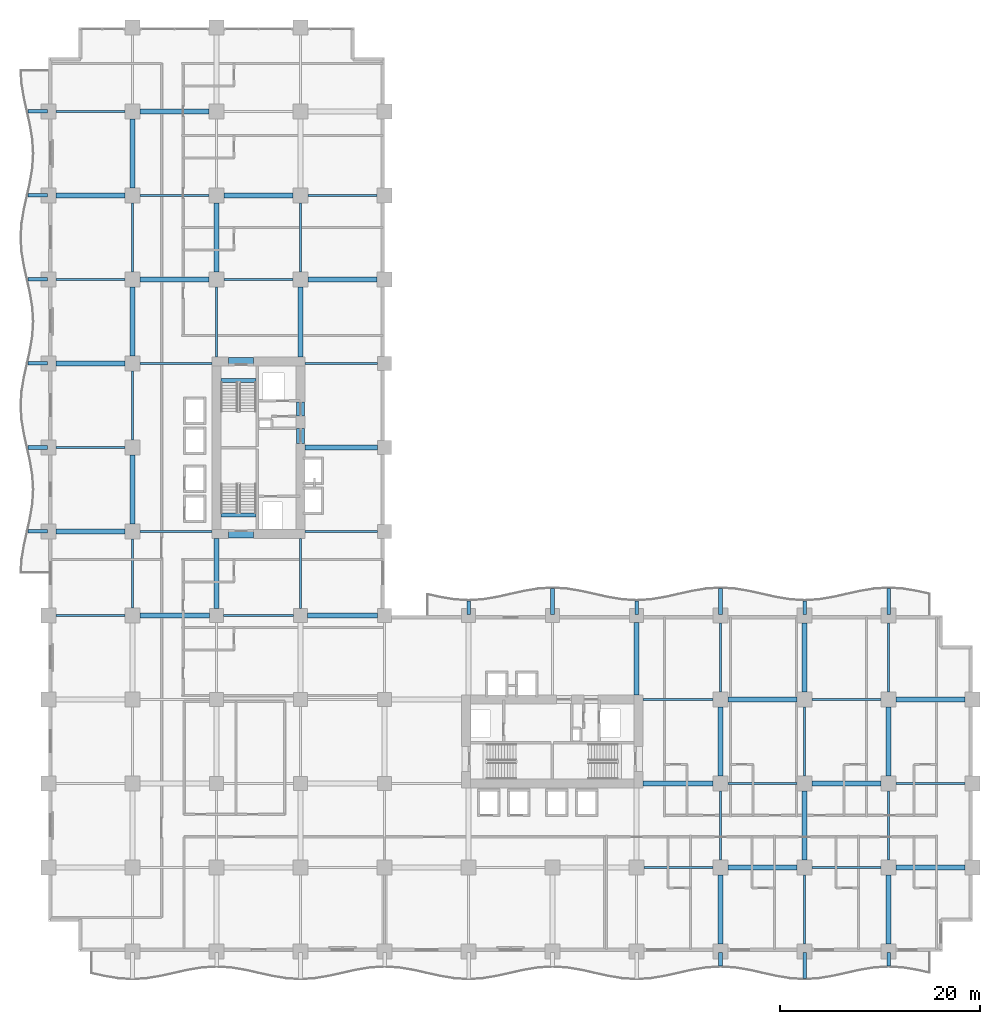
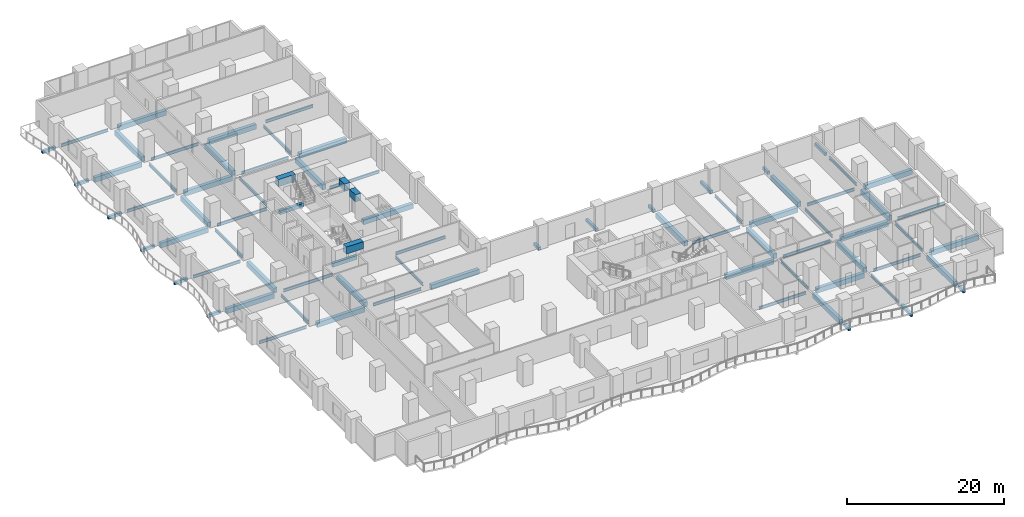
# One storey, part 2 of 21: 80 beams.
"""IFC4 building model written with IfcOpenShell, lengths in metres."""

from ifc_helpers import new_model, si_unit, direction, frame, origin, origin_2d, place, context, subcontext, project, spatial, rectangle, i_section, extrude, material, material_profile, profile_set, type_object, element, save


model = new_model("IFC4")

# Units and contexts
model_context = context("Model", 3, precision=1e-05, world=origin(), true_north=direction((0.0, 1.0)))
body_context = subcontext(model_context, "Body", "Model", "MODEL_VIEW")
ifc_project = project(units=[si_unit("LENGTHUNIT", "METRE"), si_unit("AREAUNIT", "SQUARE_METRE"), si_unit("VOLUMEUNIT", "CUBIC_METRE"), si_unit("PLANEANGLEUNIT", "RADIAN"), si_unit("MASSUNIT", "GRAM", prefix="KILO")], contexts=[model_context])

# Site, building, storey
site_placement = place(None, origin())
site = spatial("IfcSite", under=ifc_project, at=site_placement, CompositionType="ELEMENT")
building_placement = place(site_placement, origin())
building = spatial("IfcBuilding", under=site, at=building_placement, Name="Koriwani Terraces Tower", CompositionType="ELEMENT")
storey_placement = place(building_placement, frame((0.0, 0.0, 77.60009765625)))
storey = spatial("IfcBuildingStorey", under=building, at=storey_placement, Name="L18", CompositionType="ELEMENT", Elevation=77.60009765625)

# Beams
ifc_material_1 = material(Name="Concrete C40/50", Category="concrete")
ifc_material_profile_1 = material_profile(ifc_material_1, rectangle(XDim=0.35009765625, YDim=0.449951171875, at=origin_2d()), Name="Concrete C40/50", Category="LoadBearing")
ifc_profile_set_1 = profile_set([ifc_material_profile_1], Name="Concrete C40/50")
beam_type_1 = type_object("IfcBeamType", Name="BEAM_RC_BALCONY_RIB_350X450", PredefinedType="JOIST", material=ifc_profile_set_1)
beam_1_placement = place(storey_placement, frame((67.199951171875, -1.449951171875, -0.47509765625), z_axis=(0.0, 1.0, 0.0), x_axis=(-1.0, 0.0, 0.0)))
element("IfcBeam", 1, at=beam_1_placement, inside=storey, type_object=beam_type_1, Name="L18 Balcony Bracket Rib S-8", PredefinedType="JOIST", context=body_context, shape_type="SweptSolid", body=[
    extrude(rectangle(XDim=0.35009765625, YDim=0.449951171875, at=origin_2d()), origin(), (0.0, 0.0, 1.0), 1.349853515625),
])
beam_2_placement = place(storey_placement, frame((75.60009765625, -2.699951171875, -0.47509765625), z_axis=(0.0, 1.0, 0.0), x_axis=(-1.0, 0.0, 0.0)))
element("IfcBeam", 2, at=beam_2_placement, inside=storey, type_object=beam_type_1, Name="L18 Balcony Bracket Rib S-9", PredefinedType="JOIST", context=body_context, shape_type="SweptSolid", body=[
    extrude(rectangle(XDim=0.35009765625, YDim=0.449951171875, at=origin_2d()), origin(), (0.0, 0.0, 1.0), 2.599853515625),
])
beam_3_placement = place(storey_placement, frame((84.0, -1.449951171875, -0.47509765625), z_axis=(0.0, 1.0, 0.0), x_axis=(-1.0, 0.0, 0.0)))
element("IfcBeam", 3, at=beam_3_placement, inside=storey, type_object=beam_type_1, Name="L18 Balcony Bracket Rib S-10", PredefinedType="JOIST", context=body_context, shape_type="SweptSolid", body=[
    extrude(rectangle(XDim=0.35009765625, YDim=0.449951171875, at=origin_2d()), origin(), (0.0, 0.0, 1.0), 1.349853515625),
])
for number, where, z_axis, x_axis, name in (
    (4, (-2.074951171875, 42.0, -0.47509765625), (1.0, 0.0, 0.0), (0.0, 1.0, 0.0), "L18 Balcony Bracket Rib W-1"),
    (5, (-2.074951171875, 50.39990234375, -0.47509765625), (1.0, 0.0, 0.0), (0.0, 1.0, 0.0), "L18 Balcony Bracket Rib W-2"),
    (6, (-2.074951171875, 58.800048828125, -0.47509765625), (1.0, 0.0, 0.0), (0.0, 1.0, 0.0), "L18 Balcony Bracket Rib W-3"),
    (7, (-2.074951171875, 67.199951171875, -0.47509765625), (1.0, 0.0, 0.0), (0.0, 1.0, 0.0), "L18 Balcony Bracket Rib W-4"),
    (8, (-2.074951171875, 75.60009765625, -0.47509765625), (1.0, 0.0, 0.0), (0.0, 1.0, 0.0), "L18 Balcony Bracket Rib W-5"),
    (9, (-2.074951171875, 84.0, -0.47509765625), (1.0, 0.0, 0.0), (0.0, 1.0, 0.0), "L18 Balcony Bracket Rib W-6"),
):
    element("IfcBeam", number, at=place(storey_placement, frame(where, z_axis=z_axis, x_axis=x_axis)), inside=storey, type_object=beam_type_1, Name=name, PredefinedType="JOIST", context=body_context, shape_type="SweptSolid", body=[
        extrude(rectangle(XDim=0.35009765625, YDim=0.449951171875, at=origin_2d()), origin(), (0.0, 0.0, 1.0), 1.974853515625),
    ])
beam_4_placement = place(storey_placement, frame((42.0, 33.699951171875, -0.47509765625), z_axis=(0.0, 1.0, 0.0), x_axis=(-1.0, 0.0, 0.0)))
element("IfcBeam", 10, at=beam_4_placement, inside=storey, type_object=beam_type_1, Name="L18 Balcony Bracket Rib NE-1", PredefinedType="JOIST", context=body_context, shape_type="SweptSolid", body=[
    extrude(rectangle(XDim=0.35009765625, YDim=0.449951171875, at=origin_2d()), origin(), (0.0, 0.0, 1.0), 1.35009765625),
])
beam_5_placement = place(storey_placement, frame((50.39990234375, 33.699951171875, -0.47509765625), z_axis=(0.0, 1.0, 0.0), x_axis=(-1.0, 0.0, 0.0)))
element("IfcBeam", 11, at=beam_5_placement, inside=storey, type_object=beam_type_1, Name="L18 Balcony Bracket Rib NE-2", PredefinedType="JOIST", context=body_context, shape_type="SweptSolid", body=[
    extrude(rectangle(XDim=0.35009765625, YDim=0.449951171875, at=origin_2d()), origin(), (0.0, 0.0, 1.0), 2.60009765625),
])
beam_6_placement = place(storey_placement, frame((58.800048828125, 33.699951171875, -0.47509765625), z_axis=(0.0, 1.0, 0.0), x_axis=(-1.0, 0.0, 0.0)))
element("IfcBeam", 12, at=beam_6_placement, inside=storey, type_object=beam_type_1, Name="L18 Balcony Bracket Rib NE-3", PredefinedType="JOIST", context=body_context, shape_type="SweptSolid", body=[
    extrude(rectangle(XDim=0.35009765625, YDim=0.449951171875, at=origin_2d()), origin(), (0.0, 0.0, 1.0), 1.35009765625),
])
beam_7_placement = place(storey_placement, frame((67.199951171875, 33.699951171875, -0.47509765625), z_axis=(0.0, 1.0, 0.0), x_axis=(-1.0, 0.0, 0.0)))
element("IfcBeam", 13, at=beam_7_placement, inside=storey, type_object=beam_type_1, Name="L18 Balcony Bracket Rib NE-4", PredefinedType="JOIST", context=body_context, shape_type="SweptSolid", body=[
    extrude(rectangle(XDim=0.35009765625, YDim=0.449951171875, at=origin_2d()), origin(), (0.0, 0.0, 1.0), 2.60009765625),
])
beam_8_placement = place(storey_placement, frame((75.60009765625, 33.699951171875, -0.47509765625), z_axis=(0.0, 1.0, 0.0), x_axis=(-1.0, 0.0, 0.0)))
element("IfcBeam", 14, at=beam_8_placement, inside=storey, type_object=beam_type_1, Name="L18 Balcony Bracket Rib NE-5", PredefinedType="JOIST", context=body_context, shape_type="SweptSolid", body=[
    extrude(rectangle(XDim=0.35009765625, YDim=0.449951171875, at=origin_2d()), origin(), (0.0, 0.0, 1.0), 1.35009765625),
])
beam_9_placement = place(storey_placement, frame((84.0, 33.699951171875, -0.47509765625), z_axis=(0.0, 1.0, 0.0), x_axis=(-1.0, 0.0, 0.0)))
element("IfcBeam", 15, at=beam_9_placement, inside=storey, type_object=beam_type_1, Name="L18 Balcony Bracket Rib NE-6", PredefinedType="JOIST", context=body_context, shape_type="SweptSolid", body=[
    extrude(rectangle(XDim=0.35009765625, YDim=0.449951171875, at=origin_2d()), origin(), (0.0, 0.0, 1.0), 2.60009765625),
])
ifc_material_2 = material(Name="Concrete C60/75", Category="concrete")
ifc_material_profile_2 = material_profile(ifc_material_2, rectangle(XDim=0.800048828125, YDim=1.10009765625, at=origin_2d()), Name="Concrete C60/75", Category="LoadBearing")
ifc_profile_set_2 = profile_set([ifc_material_profile_2], Name="Concrete C60/75")
beam_type_2 = type_object("IfcBeamType", Name="BEAM_RC_COUPLING_800X1100", PredefinedType="LINTEL", material=ifc_profile_set_2)
beam_10_placement = place(storey_placement, frame((25.199951171875, 50.800048828125, 3.0), z_axis=(0.0, 1.0, 0.0), x_axis=(-1.0, 0.0, 0.0)))
element("IfcBeam", 16, at=beam_10_placement, inside=storey, type_object=beam_type_2, Name="L18 Core Coupling Lintel Beam WE1", PredefinedType="LINTEL", context=body_context, shape_type="SweptSolid", body=[
    extrude(rectangle(XDim=0.800048828125, YDim=1.10009765625, at=origin_2d()), origin(), (0.0, 0.0, 1.0), 1.47998046875),
])
beam_11_placement = place(storey_placement, frame((25.199951171875, 53.550048828125, 3.0), z_axis=(0.0, 1.0, 0.0), x_axis=(-1.0, 0.0, 0.0)))
element("IfcBeam", 17, at=beam_11_placement, inside=storey, type_object=beam_type_2, Name="L18 Core Coupling Lintel Beam WE2", PredefinedType="LINTEL", context=body_context, shape_type="SweptSolid", body=[
    extrude(rectangle(XDim=0.800048828125, YDim=1.10009765625, at=origin_2d()), origin(), (0.0, 0.0, 1.0), 1.39990234375),
])
for number, where, z_axis, x_axis, name in (
    (18, (18.0, 41.75, 3.0), (1.0, 0.0, 0.0), (0.0, 1.0, 0.0), "L18 Core Coupling Lintel Beam WS"),
    (19, (18.0, 59.0, 3.0), (1.0, 0.0, 0.0), (0.0, 1.0, 0.0), "L18 Core Coupling Lintel Beam WN"),
):
    element("IfcBeam", number, at=place(storey_placement, frame(where, z_axis=z_axis, x_axis=x_axis)), inside=storey, type_object=beam_type_2, Name=name, PredefinedType="LINTEL", context=body_context, shape_type="SweptSolid", body=[
        extrude(rectangle(XDim=0.800048828125, YDim=1.10009765625, at=origin_2d()), origin(), (0.0, 0.0, 1.0), 2.5),
    ])
ifc_material_profile_3 = material_profile(ifc_material_1, rectangle(XDim=0.39990234375, YDim=0.60009765625, at=origin_2d()), Name="Concrete C40/50", Category="LoadBearing")
ifc_profile_set_3 = profile_set([ifc_material_profile_3], Name="Concrete C40/50")
beam_type_3 = type_object("IfcBeamType", Name="BEAM_RC_GRID_400X600", PredefinedType="BEAM", material=ifc_profile_set_3)
for number, where, z_axis, x_axis, name in (
    (20, (17.25, 43.655029296875, -0.300048828125), (1.0, 0.0, 0.0), (0.0, 1.0, 0.0), "L18 Stairwell Header Trimmer Beam ST-W1"),
    (21, (17.25, 57.094970703125, -0.300048828125), (1.0, 0.0, 0.0), (0.0, 1.0, 0.0), "L18 Stairwell Header Trimmer Beam ST-W2"),
):
    element("IfcBeam", number, at=place(storey_placement, frame(where, z_axis=z_axis, x_axis=x_axis)), inside=storey, type_object=beam_type_3, Name=name, PredefinedType="BEAM", context=body_context, shape_type="SweptSolid", body=[
        extrude(rectangle(XDim=0.39990234375, YDim=0.60009765625, at=origin_2d()), origin(), (0.0, 0.0, 1.0), 3.5),
    ])
ifc_material_3 = material(Name="Concrete C50/60", Category="concrete")
ifc_material_profile_4 = material_profile(ifc_material_3, rectangle(XDim=0.5, YDim=0.75, at=origin_2d()), Name="Concrete C50/60", Category="LoadBearing")
ifc_profile_set_4 = profile_set([ifc_material_profile_4], Name="Concrete C50/60")
beam_type_4 = type_object("IfcBeamType", Name="BEAM_RC_GRID_500X750", PredefinedType="BEAM", material=ifc_profile_set_4)
beam_12_placement = place(storey_placement, frame((67.929931640625, 8.39990234375, -0.625), z_axis=(1.0, 0.0, 0.0), x_axis=(0.0, 1.0, 0.0)))
element("IfcBeam", 22, at=beam_12_placement, inside=storey, type_object=beam_type_4, Name="L18 Grid Beam B (67.2-75.6m)", PredefinedType="BEAM", context=body_context, shape_type="SweptSolid", body=[
    extrude(rectangle(XDim=0.5, YDim=0.75, at=origin_2d()), origin(), (0.0, 0.0, 1.0), 6.940185546875),
])
beam_13_placement = place(storey_placement, frame((84.72998046875, 8.39990234375, -0.625), z_axis=(1.0, 0.0, 0.0), x_axis=(0.0, 1.0, 0.0)))
element("IfcBeam", 23, at=beam_13_placement, inside=storey, type_object=beam_type_4, Name="L18 Grid Beam B (84.0-92.4m)", PredefinedType="BEAM", context=body_context, shape_type="SweptSolid", body=[
    extrude(rectangle(XDim=0.5, YDim=0.75, at=origin_2d()), origin(), (0.0, 0.0, 1.0), 6.93994140625),
])
beam_14_placement = place(storey_placement, frame((59.429931640625, 16.800048828125, -0.625), z_axis=(1.0, 0.0, 0.0), x_axis=(0.0, 1.0, 0.0)))
element("IfcBeam", 24, at=beam_14_placement, inside=storey, type_object=beam_type_4, Name="L18 Grid Beam C (58.8-67.2m)", PredefinedType="BEAM", context=body_context, shape_type="SweptSolid", body=[
    extrude(rectangle(XDim=0.5, YDim=0.75, at=origin_2d()), origin(), (0.0, 0.0, 1.0), 7.0400390625),
])
beam_15_placement = place(storey_placement, frame((76.330078125, 16.800048828125, -0.625), z_axis=(1.0, 0.0, 0.0), x_axis=(0.0, 1.0, 0.0)))
element("IfcBeam", 25, at=beam_15_placement, inside=storey, type_object=beam_type_4, Name="L18 Grid Beam C (75.6-84.0m)", PredefinedType="BEAM", context=body_context, shape_type="SweptSolid", body=[
    extrude(rectangle(XDim=0.5, YDim=0.75, at=origin_2d()), origin(), (0.0, 0.0, 1.0), 6.93994140625),
])
beam_16_placement = place(storey_placement, frame((67.929931640625, 25.199951171875, -0.625), z_axis=(1.0, 0.0, 0.0), x_axis=(0.0, 1.0, 0.0)))
element("IfcBeam", 26, at=beam_16_placement, inside=storey, type_object=beam_type_4, Name="L18 Grid Beam D (67.2-75.6m)", PredefinedType="BEAM", context=body_context, shape_type="SweptSolid", body=[
    extrude(rectangle(XDim=0.5, YDim=0.75, at=origin_2d()), origin(), (0.0, 0.0, 1.0), 6.940185546875),
])
beam_17_placement = place(storey_placement, frame((84.72998046875, 25.199951171875, -0.625), z_axis=(1.0, 0.0, 0.0), x_axis=(0.0, 1.0, 0.0)))
element("IfcBeam", 27, at=beam_17_placement, inside=storey, type_object=beam_type_4, Name="L18 Grid Beam D (84.0-92.4m)", PredefinedType="BEAM", context=body_context, shape_type="SweptSolid", body=[
    extrude(rectangle(XDim=0.5, YDim=0.75, at=origin_2d()), origin(), (0.0, 0.0, 1.0), 6.93994140625),
])
beam_18_placement = place(storey_placement, frame((9.1298828125, 33.60009765625, -0.625), z_axis=(1.0, 0.0, 0.0), x_axis=(0.0, 1.0, 0.0)))
element("IfcBeam", 28, at=beam_18_placement, inside=storey, type_object=beam_type_4, Name="L18 Grid Beam E (8.4-16.8m)", PredefinedType="BEAM", context=body_context, shape_type="SweptSolid", body=[
    extrude(rectangle(XDim=0.5, YDim=0.75, at=origin_2d()), origin(), (0.0, 0.0, 1.0), 6.990234375),
])
beam_19_placement = place(storey_placement, frame((25.8798828125, 33.60009765625, -0.625), z_axis=(1.0, 0.0, 0.0), x_axis=(0.0, 1.0, 0.0)))
element("IfcBeam", 29, at=beam_19_placement, inside=storey, type_object=beam_type_4, Name="L18 Grid Beam E (25.2-33.6m)", PredefinedType="BEAM", context=body_context, shape_type="SweptSolid", body=[
    extrude(rectangle(XDim=0.5, YDim=0.75, at=origin_2d()), origin(), (0.0, 0.0, 1.0), 7.0400390625),
])
beam_20_placement = place(storey_placement, frame((0.72998046875, 42.0, -0.625), z_axis=(1.0, 0.0, 0.0), x_axis=(0.0, 1.0, 0.0)))
element("IfcBeam", 30, at=beam_20_placement, inside=storey, type_object=beam_type_4, Name="L18 Grid Beam F (0.0-8.4m)", PredefinedType="BEAM", context=body_context, shape_type="SweptSolid", body=[
    extrude(rectangle(XDim=0.5, YDim=0.75, at=origin_2d()), origin(), (0.0, 0.0, 1.0), 6.93994140625),
])
beam_21_placement = place(storey_placement, frame((25.6298828125, 50.39990234375, -0.625), z_axis=(1.0, 0.0, 0.0), x_axis=(0.0, 1.0, 0.0)))
element("IfcBeam", 31, at=beam_21_placement, inside=storey, type_object=beam_type_4, Name="L18 Grid Beam G (25.2-33.6m)", PredefinedType="BEAM", context=body_context, shape_type="SweptSolid", body=[
    extrude(rectangle(XDim=0.5, YDim=0.75, at=origin_2d()), origin(), (0.0, 0.0, 1.0), 7.2900390625),
])
beam_22_placement = place(storey_placement, frame((0.72998046875, 58.800048828125, -0.625), z_axis=(1.0, 0.0, 0.0), x_axis=(0.0, 1.0, 0.0)))
element("IfcBeam", 32, at=beam_22_placement, inside=storey, type_object=beam_type_4, Name="L18 Grid Beam H (0.0-8.4m)", PredefinedType="BEAM", context=body_context, shape_type="SweptSolid", body=[
    extrude(rectangle(XDim=0.5, YDim=0.75, at=origin_2d()), origin(), (0.0, 0.0, 1.0), 6.93994140625),
])
for number, where, z_axis, x_axis, name in (
    (33, (9.1298828125, 67.199951171875, -0.625), (1.0, 0.0, 0.0), (0.0, 1.0, 0.0), "L18 Grid Beam I (8.4-16.8m)"),
    (34, (25.929931640625, 67.199951171875, -0.625), (1.0, 0.0, 0.0), (0.0, 1.0, 0.0), "L18 Grid Beam I (25.2-33.6m)"),
):
    element("IfcBeam", number, at=place(storey_placement, frame(where, z_axis=z_axis, x_axis=x_axis)), inside=storey, type_object=beam_type_4, Name=name, PredefinedType="BEAM", context=body_context, shape_type="SweptSolid", body=[
        extrude(rectangle(XDim=0.5, YDim=0.75, at=origin_2d()), origin(), (0.0, 0.0, 1.0), 6.940185546875),
    ])
for number, where, z_axis, x_axis, name in (
    (35, (0.72998046875, 75.60009765625, -0.625), (1.0, 0.0, 0.0), (0.0, 1.0, 0.0), "L18 Grid Beam J (0.0-8.4m)"),
    (36, (17.530029296875, 75.60009765625, -0.625), (1.0, 0.0, 0.0), (0.0, 1.0, 0.0), "L18 Grid Beam J (16.8-25.2m)"),
):
    element("IfcBeam", number, at=place(storey_placement, frame(where, z_axis=z_axis, x_axis=x_axis)), inside=storey, type_object=beam_type_4, Name=name, PredefinedType="BEAM", context=body_context, shape_type="SweptSolid", body=[
        extrude(rectangle(XDim=0.5, YDim=0.75, at=origin_2d()), origin(), (0.0, 0.0, 1.0), 6.93994140625),
    ])
beam_23_placement = place(storey_placement, frame((9.1298828125, 84.0, -0.625), z_axis=(1.0, 0.0, 0.0), x_axis=(0.0, 1.0, 0.0)))
element("IfcBeam", 37, at=beam_23_placement, inside=storey, type_object=beam_type_4, Name="L18 Grid Beam K (8.4-16.8m)", PredefinedType="BEAM", context=body_context, shape_type="SweptSolid", body=[
    extrude(rectangle(XDim=0.5, YDim=0.75, at=origin_2d()), origin(), (0.0, 0.0, 1.0), 6.940185546875),
])
for number, where, z_axis, x_axis, name in (
    (38, (8.39990234375, 42.72998046875, -0.625), (0.0, 1.0, 0.0), (-1.0, 0.0, 0.0), "L18 Grid Beam 2 (42.0-50.4m)"),
    (39, (8.39990234375, 59.530029296875, -0.625), (0.0, 1.0, 0.0), (-1.0, 0.0, 0.0), "L18 Grid Beam 2 (58.8-67.2m)"),
    (40, (8.39990234375, 76.330078125, -0.625), (0.0, 1.0, 0.0), (-1.0, 0.0, 0.0), "L18 Grid Beam 2 (75.6-84.0m)"),
):
    element("IfcBeam", number, at=place(storey_placement, frame(where, z_axis=z_axis, x_axis=x_axis)), inside=storey, type_object=beam_type_4, Name=name, PredefinedType="BEAM", context=body_context, shape_type="SweptSolid", body=[
        extrude(rectangle(XDim=0.5, YDim=0.75, at=origin_2d()), origin(), (0.0, 0.0, 1.0), 6.93994140625),
    ])
beam_24_placement = place(storey_placement, frame((16.800048828125, 34.280029296875, -0.625), z_axis=(0.0, 1.0, 0.0), x_axis=(-1.0, 0.0, 0.0)))
element("IfcBeam", 41, at=beam_24_placement, inside=storey, type_object=beam_type_4, Name="L18 Grid Beam 3 (33.6-42.0m)", PredefinedType="BEAM", context=body_context, shape_type="SweptSolid", body=[
    extrude(rectangle(XDim=0.5, YDim=0.75, at=origin_2d()), origin(), (0.0, 0.0, 1.0), 7.0400390625),
])
beam_25_placement = place(storey_placement, frame((16.800048828125, 67.929931640625, -0.625), z_axis=(0.0, 1.0, 0.0), x_axis=(-1.0, 0.0, 0.0)))
element("IfcBeam", 42, at=beam_25_placement, inside=storey, type_object=beam_type_4, Name="L18 Grid Beam 3 (67.2-75.6m)", PredefinedType="BEAM", context=body_context, shape_type="SweptSolid", body=[
    extrude(rectangle(XDim=0.5, YDim=0.75, at=origin_2d()), origin(), (0.0, 0.0, 1.0), 6.940185546875),
])
beam_26_placement = place(storey_placement, frame((25.199951171875, 59.429931640625, -0.625), z_axis=(0.0, 1.0, 0.0), x_axis=(-1.0, 0.0, 0.0)))
element("IfcBeam", 43, at=beam_26_placement, inside=storey, type_object=beam_type_4, Name="L18 Grid Beam 4 (58.8-67.2m)", PredefinedType="BEAM", context=body_context, shape_type="SweptSolid", body=[
    extrude(rectangle(XDim=0.5, YDim=0.75, at=origin_2d()), origin(), (0.0, 0.0, 1.0), 7.0400390625),
])
beam_27_placement = place(storey_placement, frame((58.800048828125, 25.6298828125, -0.625), z_axis=(0.0, 1.0, 0.0), x_axis=(-1.0, 0.0, 0.0)))
element("IfcBeam", 44, at=beam_27_placement, inside=storey, type_object=beam_type_4, Name="L18 Grid Beam 8 (25.2-33.6m)", PredefinedType="BEAM", context=body_context, shape_type="SweptSolid", body=[
    extrude(rectangle(XDim=0.5, YDim=0.75, at=origin_2d()), origin(), (0.0, 0.0, 1.0), 7.2900390625),
])
for number, where, z_axis, x_axis, name in (
    (45, (67.199951171875, 0.72998046875, -0.625), (0.0, 1.0, 0.0), (-1.0, 0.0, 0.0), "L18 Grid Beam 9 (0.0-8.4m)"),
    (46, (67.199951171875, 17.530029296875, -0.625), (0.0, 1.0, 0.0), (-1.0, 0.0, 0.0), "L18 Grid Beam 9 (16.8-25.2m)"),
):
    element("IfcBeam", number, at=place(storey_placement, frame(where, z_axis=z_axis, x_axis=x_axis)), inside=storey, type_object=beam_type_4, Name=name, PredefinedType="BEAM", context=body_context, shape_type="SweptSolid", body=[
        extrude(rectangle(XDim=0.5, YDim=0.75, at=origin_2d()), origin(), (0.0, 0.0, 1.0), 6.93994140625),
    ])
for number, where, z_axis, x_axis, name in (
    (47, (75.60009765625, 9.1298828125, -0.625), (0.0, 1.0, 0.0), (-1.0, 0.0, 0.0), "L18 Grid Beam 10 (8.4-16.8m)"),
    (48, (75.60009765625, 25.929931640625, -0.625), (0.0, 1.0, 0.0), (-1.0, 0.0, 0.0), "L18 Grid Beam 10 (25.2-33.6m)"),
):
    element("IfcBeam", number, at=place(storey_placement, frame(where, z_axis=z_axis, x_axis=x_axis)), inside=storey, type_object=beam_type_4, Name=name, PredefinedType="BEAM", context=body_context, shape_type="SweptSolid", body=[
        extrude(rectangle(XDim=0.5, YDim=0.75, at=origin_2d()), origin(), (0.0, 0.0, 1.0), 6.940185546875),
    ])
for number, where, z_axis, x_axis, name in (
    (49, (84.0, 0.72998046875, -0.625), (0.0, 1.0, 0.0), (-1.0, 0.0, 0.0), "L18 Grid Beam 11 (0.0-8.4m)"),
    (50, (84.0, 17.530029296875, -0.625), (0.0, 1.0, 0.0), (-1.0, 0.0, 0.0), "L18 Grid Beam 11 (16.8-25.2m)"),
):
    element("IfcBeam", number, at=place(storey_placement, frame(where, z_axis=z_axis, x_axis=x_axis)), inside=storey, type_object=beam_type_4, Name=name, PredefinedType="BEAM", context=body_context, shape_type="SweptSolid", body=[
        extrude(rectangle(XDim=0.5, YDim=0.75, at=origin_2d()), origin(), (0.0, 0.0, 1.0), 6.93994140625),
    ])
ifc_material_4 = material(Name="Steel ASTM A572 Grade 50", Category="steel")
ifc_material_profile_5 = material_profile(ifc_material_4, i_section(OverallWidth=0.193115234375, OverallDepth=0.462890625, WebThickness=0.0107421875, FlangeThickness=0.017333984375, at=origin_2d()), Name="Steel ASTM A572 Grade 50", Category="LoadBearing")
ifc_profile_set_5 = profile_set([ifc_material_profile_5], Name="Steel ASTM A572 Grade 50")
beam_type_5 = type_object("IfcBeamType", Name="STEEL_BEAM_W460X113", PredefinedType="BEAM", material=ifc_profile_set_5)
for number, where, z_axis, x_axis, name in (
    (51, (59.530029296875, 8.39990234375, -0.481689453125), (1.0, 0.0, 0.0), (0.0, 1.0, 0.0), "L18 Grid Beam B (58.8-67.2m)"),
    (52, (76.330078125, 8.39990234375, -0.481689453125), (1.0, 0.0, 0.0), (0.0, 1.0, 0.0), "L18 Grid Beam B (75.6-84.0m)"),
):
    element("IfcBeam", number, at=place(storey_placement, frame(where, z_axis=z_axis, x_axis=x_axis)), inside=storey, type_object=beam_type_5, Name=name, PredefinedType="BEAM", context=body_context, shape_type="SweptSolid", body=[
        extrude(i_section(OverallWidth=0.193115234375, OverallDepth=0.462890625, WebThickness=0.0107421875, FlangeThickness=0.017333984375, at=origin_2d()), origin(), (0.0, 0.0, 1.0), 6.93994140625),
    ])
beam_28_placement = place(storey_placement, frame((67.929931640625, 16.800048828125, -0.481689453125), z_axis=(1.0, 0.0, 0.0), x_axis=(0.0, 1.0, 0.0)))
element("IfcBeam", 53, at=beam_28_placement, inside=storey, type_object=beam_type_5, Name="L18 Grid Beam C (67.2-75.6m)", PredefinedType="BEAM", context=body_context, shape_type="SweptSolid", body=[
    extrude(i_section(OverallWidth=0.193115234375, OverallDepth=0.462890625, WebThickness=0.0107421875, FlangeThickness=0.017333984375, at=origin_2d()), origin(), (0.0, 0.0, 1.0), 6.940185546875),
])
beam_29_placement = place(storey_placement, frame((84.72998046875, 16.800048828125, -0.481689453125), z_axis=(1.0, 0.0, 0.0), x_axis=(0.0, 1.0, 0.0)))
element("IfcBeam", 54, at=beam_29_placement, inside=storey, type_object=beam_type_5, Name="L18 Grid Beam C (84.0-92.4m)", PredefinedType="BEAM", context=body_context, shape_type="SweptSolid", body=[
    extrude(i_section(OverallWidth=0.193115234375, OverallDepth=0.462890625, WebThickness=0.0107421875, FlangeThickness=0.017333984375, at=origin_2d()), origin(), (0.0, 0.0, 1.0), 6.93994140625),
])
beam_30_placement = place(storey_placement, frame((59.429931640625, 25.199951171875, -0.481689453125), z_axis=(1.0, 0.0, 0.0), x_axis=(0.0, 1.0, 0.0)))
element("IfcBeam", 55, at=beam_30_placement, inside=storey, type_object=beam_type_5, Name="L18 Grid Beam D (58.8-67.2m)", PredefinedType="BEAM", context=body_context, shape_type="SweptSolid", body=[
    extrude(i_section(OverallWidth=0.193115234375, OverallDepth=0.462890625, WebThickness=0.0107421875, FlangeThickness=0.017333984375, at=origin_2d()), origin(), (0.0, 0.0, 1.0), 7.0400390625),
])
for number, where, z_axis, x_axis, name in (
    (56, (76.330078125, 25.199951171875, -0.481689453125), (1.0, 0.0, 0.0), (0.0, 1.0, 0.0), "L18 Grid Beam D (75.6-84.0m)"),
    (57, (0.72998046875, 33.60009765625, -0.481689453125), (1.0, 0.0, 0.0), (0.0, 1.0, 0.0), "L18 Grid Beam E (0.0-8.4m)"),
):
    element("IfcBeam", number, at=place(storey_placement, frame(where, z_axis=z_axis, x_axis=x_axis)), inside=storey, type_object=beam_type_5, Name=name, PredefinedType="BEAM", context=body_context, shape_type="SweptSolid", body=[
        extrude(i_section(OverallWidth=0.193115234375, OverallDepth=0.462890625, WebThickness=0.0107421875, FlangeThickness=0.017333984375, at=origin_2d()), origin(), (0.0, 0.0, 1.0), 6.93994140625),
    ])
beam_31_placement = place(storey_placement, frame((17.47998046875, 33.60009765625, -0.481689453125), z_axis=(1.0, 0.0, 0.0), x_axis=(0.0, 1.0, 0.0)))
element("IfcBeam", 58, at=beam_31_placement, inside=storey, type_object=beam_type_5, Name="L18 Grid Beam E (16.8-25.2m)", PredefinedType="BEAM", context=body_context, shape_type="SweptSolid", body=[
    extrude(i_section(OverallWidth=0.193115234375, OverallDepth=0.462890625, WebThickness=0.0107421875, FlangeThickness=0.017333984375, at=origin_2d()), origin(), (0.0, 0.0, 1.0), 7.0400390625),
])
beam_32_placement = place(storey_placement, frame((9.1298828125, 42.0, -0.481689453125), z_axis=(1.0, 0.0, 0.0), x_axis=(0.0, 1.0, 0.0)))
element("IfcBeam", 59, at=beam_32_placement, inside=storey, type_object=beam_type_5, Name="L18 Grid Beam F (8.4-16.8m)", PredefinedType="BEAM", context=body_context, shape_type="SweptSolid", body=[
    extrude(i_section(OverallWidth=0.193115234375, OverallDepth=0.462890625, WebThickness=0.0107421875, FlangeThickness=0.017333984375, at=origin_2d()), origin(), (0.0, 0.0, 1.0), 7.240234375),
])
beam_33_placement = place(storey_placement, frame((25.6298828125, 42.0, -0.481689453125), z_axis=(1.0, 0.0, 0.0), x_axis=(0.0, 1.0, 0.0)))
element("IfcBeam", 60, at=beam_33_placement, inside=storey, type_object=beam_type_5, Name="L18 Grid Beam F (25.2-33.6m)", PredefinedType="BEAM", context=body_context, shape_type="SweptSolid", body=[
    extrude(i_section(OverallWidth=0.193115234375, OverallDepth=0.462890625, WebThickness=0.0107421875, FlangeThickness=0.017333984375, at=origin_2d()), origin(), (0.0, 0.0, 1.0), 7.2900390625),
])
beam_34_placement = place(storey_placement, frame((0.72998046875, 50.39990234375, -0.481689453125), z_axis=(1.0, 0.0, 0.0), x_axis=(0.0, 1.0, 0.0)))
element("IfcBeam", 61, at=beam_34_placement, inside=storey, type_object=beam_type_5, Name="L18 Grid Beam G (0.0-8.4m)", PredefinedType="BEAM", context=body_context, shape_type="SweptSolid", body=[
    extrude(i_section(OverallWidth=0.193115234375, OverallDepth=0.462890625, WebThickness=0.0107421875, FlangeThickness=0.017333984375, at=origin_2d()), origin(), (0.0, 0.0, 1.0), 6.93994140625),
])
beam_35_placement = place(storey_placement, frame((9.1298828125, 58.800048828125, -0.481689453125), z_axis=(1.0, 0.0, 0.0), x_axis=(0.0, 1.0, 0.0)))
element("IfcBeam", 62, at=beam_35_placement, inside=storey, type_object=beam_type_5, Name="L18 Grid Beam H (8.4-16.8m)", PredefinedType="BEAM", context=body_context, shape_type="SweptSolid", body=[
    extrude(i_section(OverallWidth=0.193115234375, OverallDepth=0.462890625, WebThickness=0.0107421875, FlangeThickness=0.017333984375, at=origin_2d()), origin(), (0.0, 0.0, 1.0), 7.240234375),
])
beam_36_placement = place(storey_placement, frame((25.6298828125, 58.800048828125, -0.481689453125), z_axis=(1.0, 0.0, 0.0), x_axis=(0.0, 1.0, 0.0)))
element("IfcBeam", 63, at=beam_36_placement, inside=storey, type_object=beam_type_5, Name="L18 Grid Beam H (25.2-33.6m)", PredefinedType="BEAM", context=body_context, shape_type="SweptSolid", body=[
    extrude(i_section(OverallWidth=0.193115234375, OverallDepth=0.462890625, WebThickness=0.0107421875, FlangeThickness=0.017333984375, at=origin_2d()), origin(), (0.0, 0.0, 1.0), 7.2900390625),
])
for number, where, z_axis, x_axis, name in (
    (64, (0.72998046875, 67.199951171875, -0.481689453125), (1.0, 0.0, 0.0), (0.0, 1.0, 0.0), "L18 Grid Beam I (0.0-8.4m)"),
    (65, (17.530029296875, 67.199951171875, -0.481689453125), (1.0, 0.0, 0.0), (0.0, 1.0, 0.0), "L18 Grid Beam I (16.8-25.2m)"),
):
    element("IfcBeam", number, at=place(storey_placement, frame(where, z_axis=z_axis, x_axis=x_axis)), inside=storey, type_object=beam_type_5, Name=name, PredefinedType="BEAM", context=body_context, shape_type="SweptSolid", body=[
        extrude(i_section(OverallWidth=0.193115234375, OverallDepth=0.462890625, WebThickness=0.0107421875, FlangeThickness=0.017333984375, at=origin_2d()), origin(), (0.0, 0.0, 1.0), 6.93994140625),
    ])
for number, where, z_axis, x_axis, name in (
    (66, (9.1298828125, 75.60009765625, -0.481689453125), (1.0, 0.0, 0.0), (0.0, 1.0, 0.0), "L18 Grid Beam J (8.4-16.8m)"),
    (67, (25.929931640625, 75.60009765625, -0.481689453125), (1.0, 0.0, 0.0), (0.0, 1.0, 0.0), "L18 Grid Beam J (25.2-33.6m)"),
):
    element("IfcBeam", number, at=place(storey_placement, frame(where, z_axis=z_axis, x_axis=x_axis)), inside=storey, type_object=beam_type_5, Name=name, PredefinedType="BEAM", context=body_context, shape_type="SweptSolid", body=[
        extrude(i_section(OverallWidth=0.193115234375, OverallDepth=0.462890625, WebThickness=0.0107421875, FlangeThickness=0.017333984375, at=origin_2d()), origin(), (0.0, 0.0, 1.0), 6.940185546875),
    ])
for number, where, z_axis, x_axis, name in (
    (68, (0.72998046875, 84.0, -0.481689453125), (1.0, 0.0, 0.0), (0.0, 1.0, 0.0), "L18 Grid Beam K (0.0-8.4m)"),
    (69, (8.39990234375, 34.330078125, -0.481689453125), (0.0, 1.0, 0.0), (-1.0, 0.0, 0.0), "L18 Grid Beam 2 (33.6-42.0m)"),
):
    element("IfcBeam", number, at=place(storey_placement, frame(where, z_axis=z_axis, x_axis=x_axis)), inside=storey, type_object=beam_type_5, Name=name, PredefinedType="BEAM", context=body_context, shape_type="SweptSolid", body=[
        extrude(i_section(OverallWidth=0.193115234375, OverallDepth=0.462890625, WebThickness=0.0107421875, FlangeThickness=0.017333984375, at=origin_2d()), origin(), (0.0, 0.0, 1.0), 6.93994140625),
    ])
for number, where, z_axis, x_axis, name in (
    (70, (8.39990234375, 51.1298828125, -0.481689453125), (0.0, 1.0, 0.0), (-1.0, 0.0, 0.0), "L18 Grid Beam 2 (50.4-58.8m)"),
    (71, (8.39990234375, 67.929931640625, -0.481689453125), (0.0, 1.0, 0.0), (-1.0, 0.0, 0.0), "L18 Grid Beam 2 (67.2-75.6m)"),
):
    element("IfcBeam", number, at=place(storey_placement, frame(where, z_axis=z_axis, x_axis=x_axis)), inside=storey, type_object=beam_type_5, Name=name, PredefinedType="BEAM", context=body_context, shape_type="SweptSolid", body=[
        extrude(i_section(OverallWidth=0.193115234375, OverallDepth=0.462890625, WebThickness=0.0107421875, FlangeThickness=0.017333984375, at=origin_2d()), origin(), (0.0, 0.0, 1.0), 6.940185546875),
    ])
for number, where, z_axis, x_axis, name in (
    (72, (16.800048828125, 59.429931640625, -0.481689453125), (0.0, 1.0, 0.0), (-1.0, 0.0, 0.0), "L18 Grid Beam 3 (58.8-67.2m)"),
    (73, (25.199951171875, 34.280029296875, -0.481689453125), (0.0, 1.0, 0.0), (-1.0, 0.0, 0.0), "L18 Grid Beam 4 (33.6-42.0m)"),
):
    element("IfcBeam", number, at=place(storey_placement, frame(where, z_axis=z_axis, x_axis=x_axis)), inside=storey, type_object=beam_type_5, Name=name, PredefinedType="BEAM", context=body_context, shape_type="SweptSolid", body=[
        extrude(i_section(OverallWidth=0.193115234375, OverallDepth=0.462890625, WebThickness=0.0107421875, FlangeThickness=0.017333984375, at=origin_2d()), origin(), (0.0, 0.0, 1.0), 7.0400390625),
    ])
for number, where, z_axis, x_axis, name in (
    (74, (25.199951171875, 67.929931640625, -0.481689453125), (0.0, 1.0, 0.0), (-1.0, 0.0, 0.0), "L18 Grid Beam 4 (67.2-75.6m)"),
    (75, (67.199951171875, 9.1298828125, -0.481689453125), (0.0, 1.0, 0.0), (-1.0, 0.0, 0.0), "L18 Grid Beam 9 (8.4-16.8m)"),
    (76, (67.199951171875, 25.929931640625, -0.481689453125), (0.0, 1.0, 0.0), (-1.0, 0.0, 0.0), "L18 Grid Beam 9 (25.2-33.6m)"),
):
    element("IfcBeam", number, at=place(storey_placement, frame(where, z_axis=z_axis, x_axis=x_axis)), inside=storey, type_object=beam_type_5, Name=name, PredefinedType="BEAM", context=body_context, shape_type="SweptSolid", body=[
        extrude(i_section(OverallWidth=0.193115234375, OverallDepth=0.462890625, WebThickness=0.0107421875, FlangeThickness=0.017333984375, at=origin_2d()), origin(), (0.0, 0.0, 1.0), 6.940185546875),
    ])
for number, where, z_axis, x_axis, name in (
    (77, (75.60009765625, 0.72998046875, -0.481689453125), (0.0, 1.0, 0.0), (-1.0, 0.0, 0.0), "L18 Grid Beam 10 (0.0-8.4m)"),
    (78, (75.60009765625, 17.530029296875, -0.481689453125), (0.0, 1.0, 0.0), (-1.0, 0.0, 0.0), "L18 Grid Beam 10 (16.8-25.2m)"),
):
    element("IfcBeam", number, at=place(storey_placement, frame(where, z_axis=z_axis, x_axis=x_axis)), inside=storey, type_object=beam_type_5, Name=name, PredefinedType="BEAM", context=body_context, shape_type="SweptSolid", body=[
        extrude(i_section(OverallWidth=0.193115234375, OverallDepth=0.462890625, WebThickness=0.0107421875, FlangeThickness=0.017333984375, at=origin_2d()), origin(), (0.0, 0.0, 1.0), 6.93994140625),
    ])
for number, where, z_axis, x_axis, name in (
    (79, (84.0, 9.1298828125, -0.481689453125), (0.0, 1.0, 0.0), (-1.0, 0.0, 0.0), "L18 Grid Beam 11 (8.4-16.8m)"),
    (80, (84.0, 25.929931640625, -0.481689453125), (0.0, 1.0, 0.0), (-1.0, 0.0, 0.0), "L18 Grid Beam 11 (25.2-33.6m)"),
):
    element("IfcBeam", number, at=place(storey_placement, frame(where, z_axis=z_axis, x_axis=x_axis)), inside=storey, type_object=beam_type_5, Name=name, PredefinedType="BEAM", context=body_context, shape_type="SweptSolid", body=[
        extrude(i_section(OverallWidth=0.193115234375, OverallDepth=0.462890625, WebThickness=0.0107421875, FlangeThickness=0.017333984375, at=origin_2d()), origin(), (0.0, 0.0, 1.0), 6.940185546875),
    ])

save(model, "model.ifc")
